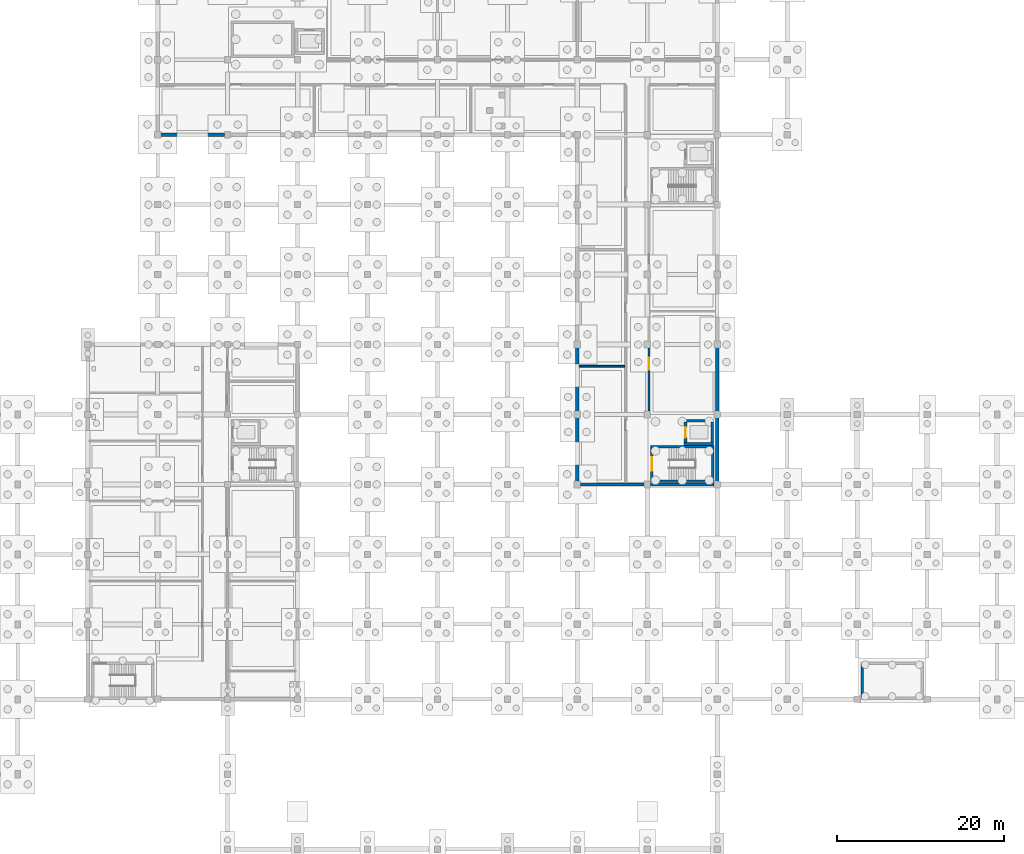
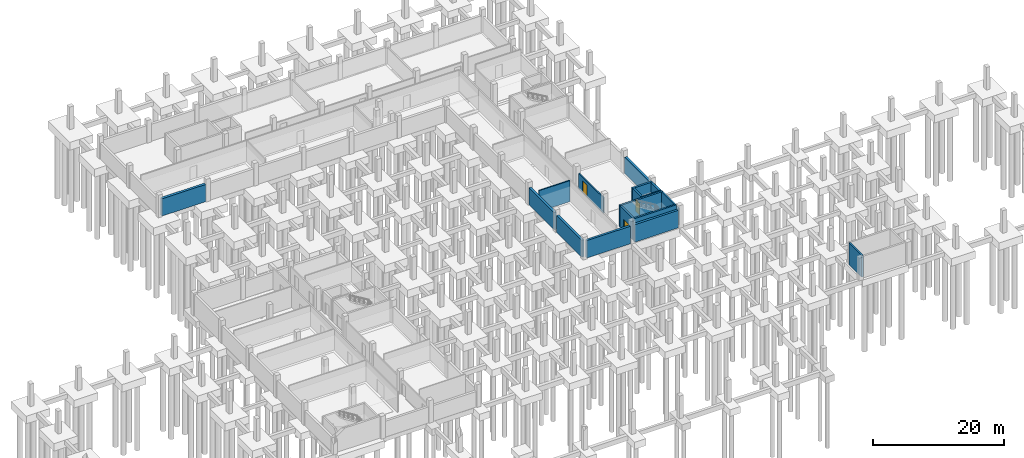
# One storey, part 13 of 20: 18 walls, 3 doors, 3 openings.
"""IFC4 building model written with IfcOpenShell, lengths in metres."""

from ifc_helpers import new_model, si_unit, direction, frame, frame_2d, origin, place, context, subcontext, project, spatial, rectangle, extrude, material, layer, layer_set, type_object, element, fill, save


model = new_model("IFC4")

# Units and contexts
model_context = context("Model", 3, precision=1e-05, world=origin(), true_north=direction((0.0, 1.0)))
body_context = subcontext(model_context, "Body", "Model", "MODEL_VIEW")
ifc_project = project(units=[si_unit("LENGTHUNIT", "METRE"), si_unit("AREAUNIT", "SQUARE_METRE"), si_unit("VOLUMEUNIT", "CUBIC_METRE"), si_unit("PLANEANGLEUNIT", "RADIAN"), si_unit("MASSUNIT", "GRAM", prefix="KILO")], contexts=[model_context])

# Site, building, storey
site_placement = place(None, origin())
site = spatial("IfcSite", under=ifc_project, at=site_placement, CompositionType="ELEMENT")
building_placement = place(site_placement, origin())
building = spatial("IfcBuilding", under=site, at=building_placement, Name="Vireocrest Preparatory School", CompositionType="ELEMENT")
storey_placement = place(building_placement, frame((0.0, 0.0, -4.199951171875)))
storey = spatial("IfcBuildingStorey", under=building, at=storey_placement, Name="B01", CompositionType="ELEMENT", Elevation=-4.199951171875)

# Walls
ifc_material_1 = material(Name="Concrete 45 MPa", Category="concrete")
ifc_layer_1 = layer(ifc_material_1, 0.39990234375)
ifc_layer_set_1 = layer_set([ifc_layer_1], Name="Concrete 45 MPa")
wall_type_1 = type_object("IfcWallType", Name="Basement RC Retaining Wall 400", PredefinedType="SHEAR", material=ifc_layer_set_1)
wall_1_placement = place(storey_placement, frame((109.199951171875, 44.175048828125, 0.0), z_axis=(0.0, 0.0, 1.0), x_axis=(0.0, 1.0, 0.0)))
element("IfcWall", 1, at=wall_1_placement, inside=storey, type_object=wall_type_1, Name="External Wall RW1 EW_B01_0016", PredefinedType="SHEAR", context=body_context, shape_type="SweptSolid", body=[
    extrude(rectangle(XDim=7.64990234375, YDim=0.39990234375, at=frame_2d((3.824951171875, 0.0))), origin(), (0.0, 0.0, 1.0), 3.050048828125),
])
wall_2_placement = place(storey_placement, frame((109.199951171875, 52.574951171875, 0.0), z_axis=(0.0, 0.0, 1.0), x_axis=(0.0, 1.0, 0.0)))
element("IfcWall", 2, at=wall_2_placement, inside=storey, type_object=wall_type_1, Name="External Wall RW1 EW_B01_0017", PredefinedType="SHEAR", context=body_context, shape_type="SweptSolid", body=[
    extrude(rectangle(XDim=7.650146484375, YDim=0.39990234375, at=frame_2d((3.8251953125, 0.0))), origin(), (0.0, 0.0, 1.0), 3.0),
])
wall_3_placement = place(storey_placement, frame((92.39990234375, 44.175048828125, 0.0), z_axis=(0.0, 0.0, 1.0), x_axis=(0.0, 1.0, 0.0)))
element("IfcWall", 3, at=wall_3_placement, inside=storey, type_object=wall_type_1, Name="External Wall RW1 EW_B01_0039", PredefinedType="SHEAR", context=body_context, shape_type="SweptSolid", body=[
    extrude(rectangle(XDim=7.64990234375, YDim=0.39990234375, at=frame_2d((3.824951171875, 0.0))), origin(), (0.0, 0.0, 1.0), 3.14990234375),
])
wall_4_placement = place(storey_placement, frame((92.39990234375, 52.574951171875, 0.0), z_axis=(0.0, 0.0, 1.0), x_axis=(0.0, 1.0, 0.0)))
element("IfcWall", 4, at=wall_4_placement, inside=storey, type_object=wall_type_1, Name="External Wall RW1 EW_B01_0040", PredefinedType="SHEAR", context=body_context, shape_type="SweptSolid", body=[
    extrude(rectangle(XDim=7.650146484375, YDim=0.39990234375, at=frame_2d((3.8251953125, 0.0))), origin(), (0.0, 0.0, 1.0), 3.199951171875),
])
wall_5_placement = place(storey_placement, frame((92.77490234375, 43.800048828125, 0.0), z_axis=(0.0, 0.0, 1.0), x_axis=(1.0, 0.0, 0.0)))
element("IfcWall", 5, at=wall_5_placement, inside=storey, type_object=wall_type_1, Name="External Wall RW1 EW_B01_0044", PredefinedType="SHEAR", context=body_context, shape_type="SweptSolid", body=[
    extrude(rectangle(XDim=7.650146484375, YDim=0.39990234375, at=frame_2d((3.8251953125, 0.0))), origin(), (0.0, 0.0, 1.0), 3.25),
])
wall_6_placement = place(storey_placement, frame((101.175048828125, 43.800048828125, 0.0), z_axis=(0.0, 0.0, 1.0), x_axis=(1.0, 0.0, 0.0)))
element("IfcWall", 6, at=wall_6_placement, inside=storey, type_object=wall_type_1, Name="External Wall RW1 EW_B01_0045", PredefinedType="SHEAR", context=body_context, shape_type="SweptSolid", body=[
    extrude(rectangle(XDim=7.64990234375, YDim=0.39990234375, at=frame_2d((3.824951171875, 0.0))), origin(), (0.0, 0.0, 1.0), 3.25),
])

# Wall, opening, door
ifc_material_2 = material(Name="Gypsum board on cold-formed steel studs", Category="steel")
ifc_layer_2 = layer(ifc_material_2, 0.199951171875)
ifc_layer_set_2 = layer_set([ifc_layer_2], Name="Gypsum board on cold-formed steel studs")
wall_type_2 = type_object("IfcWallType", Name="Corridor One-Hour Fire Partition 200", PredefinedType="PARTITIONING", material=ifc_layer_set_2)
wall_7_placement = place(storey_placement, frame((101.0, 52.610107421875, 0.0), z_axis=(0.0, 0.0, 1.0), x_axis=(0.0, 1.0, 0.0)))
wall_7 = element("IfcWall", 7, at=wall_7_placement, inside=storey, type_object=wall_type_2, Name="Interior Partition W06 IW_B01_0031", PredefinedType="PARTITIONING", context=body_context, shape_type="SweptSolid", body=[
    extrude(rectangle(XDim=7.579833984375, YDim=0.199951171875, at=frame_2d((3.7900390625, 0.0))), origin(), (0.0, 0.0, 1.0), 2.849853515625),
])
opening_1_placement = place(wall_7_placement, frame((4.989990234375, 0.0, 0.0)))
opening_1 = element("IfcOpeningElement", 8, at=opening_1_placement, cuts=wall_7, Name="Opening D-B01-EPE01", PredefinedType="OPENING", context=body_context, shape_type="SweptSolid", body=[
    extrude(rectangle(XDim=1.39990234375, YDim=2.199951171875, at=frame_2d((0.699951171875, 1.10009765625))), frame((0.0, 0.10986328125, 0.0), z_axis=(0.0, -1.0, 0.0), x_axis=(1.0, 0.0, 0.0)), (0.0, 0.0, 1.0), 0.219970703125),
])
ifc_material_3 = material(Name="Painted galvanized hollow steel", Category="steel")
door_type_1 = type_object("IfcDoorType", Name="Lab Equipment Unequal Pair Door 1400x2200", OperationType="DOUBLE_DOOR_SINGLE_SWING", PredefinedType="DOOR", material=ifc_material_3)
door_1_placement = place(opening_1_placement, origin())
door_1 = element("IfcDoor", 9, at=door_1_placement, inside=storey, type_object=door_type_1, Name="Interior Door D-B01-EPE01", OperationType="DOUBLE_DOOR_SINGLE_SWING", OverallHeight=2.199951171875, OverallWidth=1.39990234375, PredefinedType="DOOR", context=body_context, shape_type="SweptSolid", body=[
    extrude(rectangle(XDim=1.39990234375, YDim=2.199951171875, at=frame_2d((0.699951171875, 1.10009765625))), frame((0.0, 0.02490234375, 0.0), z_axis=(0.0, -1.0, 0.0), x_axis=(1.0, 0.0, 0.0)), (0.0, 0.0, 1.0), 0.050048828125),
])
fill(opening_1, door_1)

# Walls
ifc_layer_3 = layer(ifc_material_1, 0.449951171875)
ifc_layer_set_3 = layer_set([ifc_layer_3], Name="Concrete 45 MPa")
wall_type_3 = type_object("IfcWallType", Name="Deep Plant Basement RC Retaining Wall 450", PredefinedType="SHEAR", material=ifc_layer_set_3)
wall_8_placement = place(storey_placement, frame((42.35009765625, 85.800048828125, 0.0), z_axis=(0.0, 0.0, 1.0), x_axis=(1.0, 0.0, 0.0)))
element("IfcWall", 10, at=wall_8_placement, inside=storey, type_object=wall_type_3, Name="External Wall RW2 EW_B01_0033", PredefinedType="SHEAR", context=body_context, shape_type="SweptSolid", body=[
    extrude(rectangle(XDim=7.699951171875, YDim=0.449951171875, at=frame_2d((3.85009765625, 0.0))), origin(), (0.0, 0.0, 1.0), 3.199951171875),
])
ifc_material_4 = material(Name="Acoustic concrete masonry unitwork", Category="masonry")
ifc_layer_4 = layer(ifc_material_4, 0.219970703125)
ifc_layer_set_4 = layer_set([ifc_layer_4], Name="Acoustic concrete masonry unitwork")
wall_type_4 = type_object("IfcWallType", Name="Internal Acoustic Masonry Wall 220", PredefinedType="SOLIDWALL", material=ifc_layer_set_4)
wall_9_placement = place(storey_placement, frame((92.60498046875, 58.0, 0.0), z_axis=(0.0, 0.0, 1.0), x_axis=(1.0, 0.0, 0.0)))
element("IfcWall", 11, at=wall_9_placement, inside=storey, type_object=wall_type_4, Name="Interior Partition W07 IW_B01_0027", PredefinedType="SOLIDWALL", context=body_context, shape_type="SweptSolid", body=[
    extrude(rectangle(XDim=5.47998046875, YDim=0.219970703125, at=frame_2d((2.739990234375, 0.0))), origin(), (0.0, 0.0, 1.0), 3.89990234375),
])
ifc_layer_5 = layer(ifc_material_1, 0.35009765625)
ifc_layer_set_5 = layer_set([ifc_layer_5], Name="Concrete 45 MPa")
wall_type_5 = type_object("IfcWallType", Name="Two-Hour RC Lift Core Shear Wall 350", PredefinedType="SHEAR", material=ifc_layer_set_5)
for number, where, z_axis, x_axis, name in (
    (12, (105.22509765625, 48.64990234375, 0.0), (0.0, 0.0, 1.0), (1.0, 0.0, 0.0), "Lift Core Shear Wall LF2 B01-S"),
    (13, (105.22509765625, 51.449951171875, 0.0), (0.0, 0.0, 1.0), (1.0, 0.0, 0.0), "Lift Core Shear Wall LF2 B01-N"),
):
    element("IfcWall", number, at=place(storey_placement, frame(where, z_axis=z_axis, x_axis=x_axis)), inside=storey, type_object=wall_type_5, Name=name, PredefinedType="SHEAR", context=body_context, shape_type="SweptSolid", body=[
        extrude(rectangle(XDim=3.5498046875, YDim=0.35009765625, at=frame_2d((1.77490234375, 0.0))), origin(), (0.0, 0.0, 1.0), 3.919921875),
    ])

# Wall, opening, door
wall_10_placement = place(storey_placement, frame((105.39990234375, 48.824951171875, 0.0), z_axis=(0.0, 0.0, 1.0), x_axis=(0.0, 1.0, 0.0)))
wall_10 = element("IfcWall", 14, at=wall_10_placement, inside=storey, type_object=wall_type_5, Name="Lift Core Shear Wall LF2 B01-W", PredefinedType="SHEAR", context=body_context, shape_type="SweptSolid", body=[
    extrude(rectangle(XDim=2.449951171875, YDim=0.35009765625, at=frame_2d((1.22509765625, 0.0))), origin(), (0.0, 0.0, 1.0), 3.919921875),
])
opening_2_placement = place(wall_10_placement, frame((0.60009765625, 0.0, 0.0)))
opening_2 = element("IfcOpeningElement", 15, at=opening_2_placement, cuts=wall_10, Name="Opening LD-LF2-B01", PredefinedType="OPENING", context=body_context, shape_type="SweptSolid", body=[
    extrude(rectangle(XDim=1.25, YDim=2.25, at=frame_2d((0.625, 1.125))), frame((0.0, 0.18505859375, 0.0), z_axis=(0.0, -1.0, 0.0), x_axis=(1.0, 0.0, 0.0)), (0.0, 0.0, 1.0), 0.3701171875),
])
door_type_2 = type_object("IfcDoorType", Name="Stretcher Lift Landing Sliding Door 1250x2250", OperationType="DOUBLE_DOOR_SLIDING", PredefinedType="DOOR", material=ifc_material_3)
door_2_placement = place(opening_2_placement, origin())
door_2 = element("IfcDoor", 16, at=door_2_placement, inside=storey, type_object=door_type_2, Name="Lift Landing Door LD-LF2-B01", OperationType="DOUBLE_DOOR_SLIDING", OverallHeight=2.25, OverallWidth=1.25, PredefinedType="DOOR", context=body_context, shape_type="SweptSolid", body=[
    extrude(rectangle(XDim=1.25, YDim=2.25, at=frame_2d((0.625, 1.125))), frame((0.0, 0.02490234375, 0.0), z_axis=(0.0, -1.0, 0.0), x_axis=(1.0, 0.0, 0.0)), (0.0, 0.0, 1.0), 0.050048828125),
])
fill(opening_2, door_2)

# Walls
wall_11_placement = place(storey_placement, frame((108.60009765625, 48.824951171875, 0.0), z_axis=(0.0, 0.0, 1.0), x_axis=(0.0, 1.0, 0.0)))
element("IfcWall", 17, at=wall_11_placement, inside=storey, type_object=wall_type_5, Name="Lift Core Shear Wall LF2 B01-E", PredefinedType="SHEAR", context=body_context, shape_type="SweptSolid", body=[
    extrude(rectangle(XDim=2.449951171875, YDim=0.35009765625, at=frame_2d((1.22509765625, 0.0))), origin(), (0.0, 0.0, 1.0), 3.919921875),
])
ifc_layer_6 = layer(ifc_material_1, 0.300048828125)
ifc_layer_set_6 = layer_set([ifc_layer_6], Name="Concrete 45 MPa")
wall_type_6 = type_object("IfcWallType", Name="Two-Hour RC Stair Shaft Shear Wall 300", PredefinedType="SHEAR", material=ifc_layer_set_6)
for number, where, z_axis, x_axis, name in (
    (18, (101.199951171875, 44.199951171875, 0.0), (0.0, 0.0, 1.0), (1.0, 0.0, 0.0), "Stair Core Shear Wall ST2 B01-S"),
    (19, (101.199951171875, 48.300048828125, 0.0), (0.0, 0.0, 1.0), (1.0, 0.0, 0.0), "Stair Core Shear Wall ST2 B01-N"),
):
    element("IfcWall", number, at=place(storey_placement, frame(where, z_axis=z_axis, x_axis=x_axis)), inside=storey, type_object=wall_type_6, Name=name, PredefinedType="SHEAR", context=body_context, shape_type="SweptSolid", body=[
        extrude(rectangle(XDim=7.60009765625, YDim=0.300048828125, at=frame_2d((3.800048828125, 0.0))), origin(), (0.0, 0.0, 1.0), 4.02490234375),
    ])

# Wall, opening, door
wall_12_placement = place(storey_placement, frame((101.35009765625, 44.35009765625, 0.0), z_axis=(0.0, 0.0, 1.0), x_axis=(0.0, 1.0, 0.0)))
wall_12 = element("IfcWall", 20, at=wall_12_placement, inside=storey, type_object=wall_type_6, Name="Stair Core Shear Wall ST2 B01-W", PredefinedType="SHEAR", context=body_context, shape_type="SweptSolid", body=[
    extrude(rectangle(XDim=3.7998046875, YDim=0.300048828125, at=frame_2d((1.89990234375, 0.0))), origin(), (0.0, 0.0, 1.0), 4.02490234375),
])
opening_3_placement = place(wall_12_placement, frame((1.10009765625, 0.0, 0.0)))
opening_3 = element("IfcOpeningElement", 21, at=opening_3_placement, cuts=wall_12, Name="Opening SD-ST2-B01", PredefinedType="OPENING", context=body_context, shape_type="SweptSolid", body=[
    extrude(rectangle(XDim=1.60009765625, YDim=2.199951171875, at=frame_2d((0.800048828125, 1.10009765625))), frame((0.0, 0.159912109375, 0.0), z_axis=(0.0, -1.0, 0.0), x_axis=(1.0, 0.0, 0.0)), (0.0, 0.0, 1.0), 0.320068359375),
])
door_type_3 = type_object("IfcDoorType", Name="Stair Core Lobby Fire Door 1600x2200", OperationType="DOUBLE_DOOR_SINGLE_SWING", PredefinedType="DOOR", material=ifc_material_3)
door_3_placement = place(opening_3_placement, origin())
door_3 = element("IfcDoor", 22, at=door_3_placement, inside=storey, type_object=door_type_3, Name="Stair Enclosure Fire Door SD-ST2-B01", OperationType="DOUBLE_DOOR_SINGLE_SWING", OverallHeight=2.199951171875, OverallWidth=1.60009765625, PredefinedType="DOOR", context=body_context, shape_type="SweptSolid", body=[
    extrude(rectangle(XDim=1.60009765625, YDim=2.199951171875, at=frame_2d((0.800048828125, 1.10009765625))), frame((0.0, 0.02490234375, 0.0), z_axis=(0.0, -1.0, 0.0), x_axis=(1.0, 0.0, 0.0)), (0.0, 0.0, 1.0), 0.050048828125),
])
fill(opening_3, door_3)

# Walls
wall_13_placement = place(storey_placement, frame((108.64990234375, 44.35009765625, 0.0), z_axis=(0.0, 0.0, 1.0), x_axis=(0.0, 1.0, 0.0)))
element("IfcWall", 23, at=wall_13_placement, inside=storey, type_object=wall_type_6, Name="Stair Core Shear Wall ST2 B01-E", PredefinedType="SHEAR", context=body_context, shape_type="SweptSolid", body=[
    extrude(rectangle(XDim=3.7998046875, YDim=0.300048828125, at=frame_2d((1.89990234375, 0.0))), origin(), (0.0, 0.0, 1.0), 4.02490234375),
])
wall_14_placement = place(storey_placement, frame((126.60009765625, 18.300048828125, 0.0), z_axis=(0.0, 0.0, 1.0), x_axis=(0.0, 1.0, 0.0)))
element("IfcWall", 24, at=wall_14_placement, inside=storey, type_object=wall_type_6, Name="Stair Core Shear Wall ST6 B01-W", PredefinedType="SHEAR", context=body_context, shape_type="SweptSolid", body=[
    extrude(rectangle(XDim=3.89990234375, YDim=0.300048828125, at=frame_2d((1.949951171875, 0.0))), origin(), (0.0, 0.0, 1.0), 4.02490234375),
])

save(model, "model.ifc")
